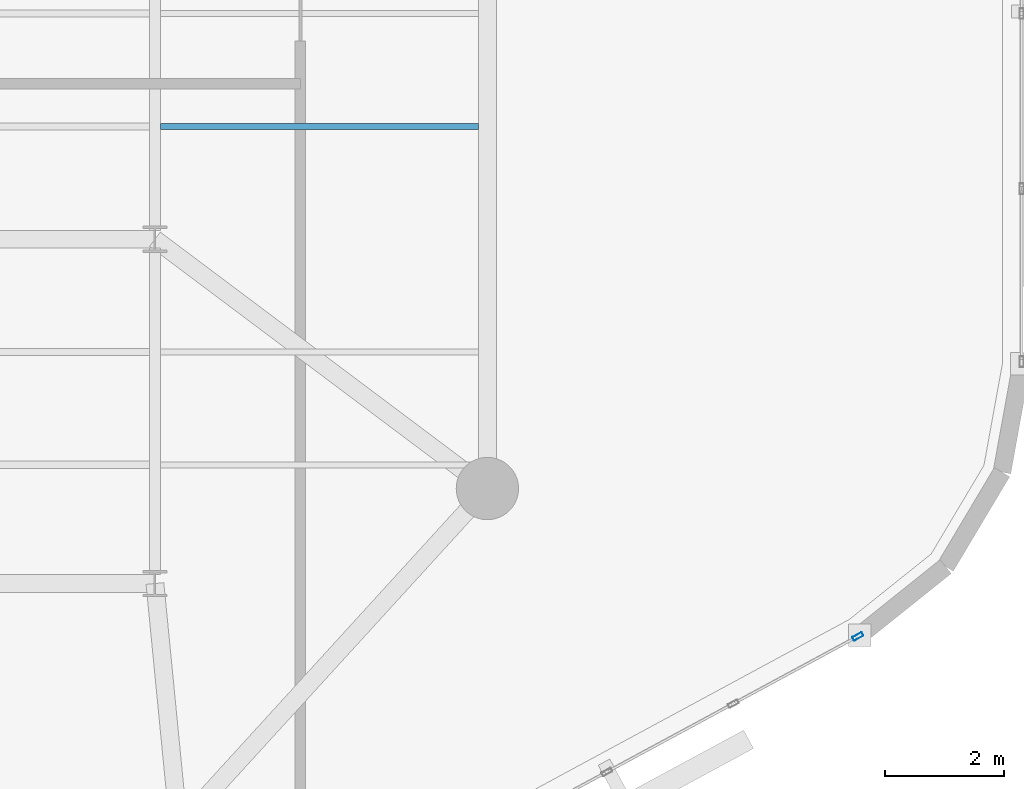
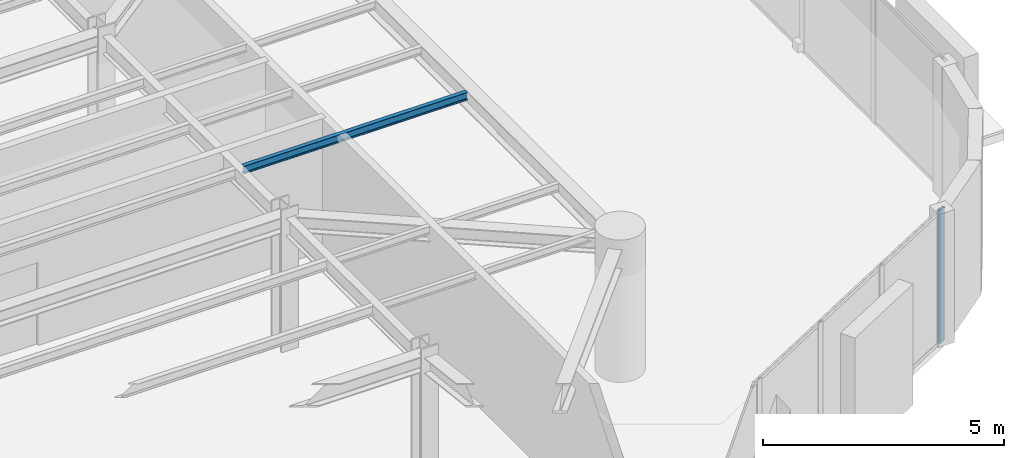
# One storey, part 3 of 13: 1 beam, 1 member, 1 element without a shape of its own.
"""IFC4 building model written with IfcOpenShell, lengths in metres."""

from ifc_helpers import new_model, si_unit, direction, frame, origin, origin_2d, place, context, subcontext, project, spatial, hollow_rectangle, i_section, extrude, material, layer, layer_set, material_profile, profile_set, type_object, element, aggregate, save


model = new_model("IFC4")

# Units and contexts
model_context = context("Model", 3, precision=1e-05, world=origin(), true_north=direction((0.0, 1.0)))
body_context = subcontext(model_context, "Body", "Model", "MODEL_VIEW")
ifc_project = project(units=[si_unit("LENGTHUNIT", "METRE"), si_unit("AREAUNIT", "SQUARE_METRE"), si_unit("VOLUMEUNIT", "CUBIC_METRE"), si_unit("PLANEANGLEUNIT", "RADIAN"), si_unit("MASSUNIT", "GRAM", prefix="KILO")], contexts=[model_context])

# Site, building, storey
site_placement = place(None, origin())
site = spatial("IfcSite", under=ifc_project, at=site_placement, CompositionType="ELEMENT")
building_placement = place(site_placement, origin())
building = spatial("IfcBuilding", under=site, at=building_placement, Name="An Khanh Terracotta Commons", CompositionType="ELEMENT")
storey_placement = place(building_placement, frame((0.0, 0.0, 244.5)))
storey = spatial("IfcBuildingStorey", under=building, at=storey_placement, Name="L64", CompositionType="ELEMENT", Elevation=244.5)

# Beam
ifc_material_1 = material(Name="Steel S355J2", Category="steel")
ifc_material_profile_1 = material_profile(ifc_material_1, i_section(OverallWidth=0.10009765625, OverallDepth=0.199951171875, WebThickness=0.005615234375, FlangeThickness=0.008544921875, FilletRadius=0.011962890625, at=origin_2d()), Name="IPE200")
ifc_profile_set_1 = profile_set([ifc_material_profile_1], Name="Steel S355J2")
beam_type = type_object("IfcBeamType", Name="BM-IPE200", PredefinedType="JOIST", material=ifc_profile_set_1)
beam_placement = place(storey_placement, frame((54.094970703125, 22.10009765625, 3.260009765625), z_axis=(1.0, 0.0, 0.0), x_axis=(0.0, 1.0, 0.0)))
element("IfcBeam", 1, at=beam_placement, inside=storey, type_object=beam_type, Name="L64 Riverfront Composite Joist 3", PredefinedType="JOIST", context=body_context, shape_type="SweptSolid", body=[
    extrude(i_section(OverallWidth=0.10009765625, OverallDepth=0.199951171875, WebThickness=0.005615234375, FlangeThickness=0.008544921875, FilletRadius=0.011962890625, at=origin_2d()), origin(), (0.0, 0.0, 1.0), 5.35498046875),
])

# Curtain wall, member
ifc_material_2 = material(Name="Anodised Aluminium 6063-T6", Category="aluminium")
ifc_layer = layer(ifc_material_2, 0.2099609375, Name="Anodised Aluminium 6063-T6")
ifc_layer_set = layer_set([ifc_layer], Name="Anodised Aluminium 6063-T6")
curtain_wall_type = type_object("IfcCurtainWallType", Name="CW-SYS-03", PredefinedType="USERDEFINED", material=ifc_layer_set)
curtain_wall_placement = place(storey_placement, origin())
curtain_wall = element("IfcCurtainWall", 2, at=curtain_wall_placement, inside=storey, type_object=curtain_wall_type, Name="L64 CW-03 Unitised Curtain Wall CW-L64-08", ObjectType="UNITISED CURTAIN WALL", PredefinedType="USERDEFINED")
ifc_material_profile_2 = material_profile(ifc_material_2, hollow_rectangle(XDim=0.070068359375, YDim=0.179931640625, WallThickness=0.00390625, InnerFilletRadius=0.00390625, OuterFilletRadius=0.008056640625, at=origin_2d()), Name="RHS180x70x4")
ifc_profile_set_2 = profile_set([ifc_material_profile_2], Name="Anodised Aluminium 6063-T6")
member_type = type_object("IfcMemberType", Name="CWM-RHS180x70x4", PredefinedType="MULLION", material=ifc_profile_set_2)
member_placement = place(storey_placement, frame((65.84130859375, 13.50927734375, 0.0), z_axis=(0.0, 0.0, 1.0), x_axis=(-0.47538088298, 0.879780095306, 0.0)))
member = element("IfcMember", 3, at=member_placement, type_object=member_type, Name="CW-03 mullion 5", PredefinedType="MULLION", context=body_context, shape_type="SweptSolid", body=[
    extrude(hollow_rectangle(XDim=0.070068359375, YDim=0.179931640625, WallThickness=0.00390625, InnerFilletRadius=0.00390625, OuterFilletRadius=0.008056640625, at=origin_2d()), origin(), (0.0, 0.0, 1.0), 3.360107421875),
])
aggregate(curtain_wall, [member])

save(model, "model.ifc")
